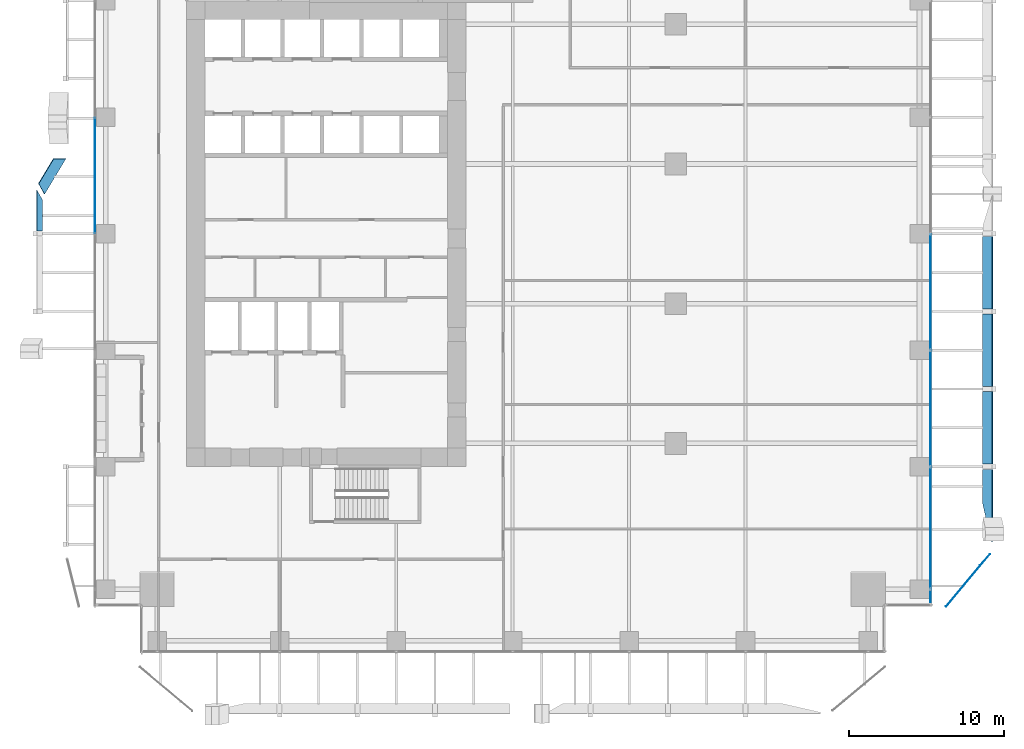
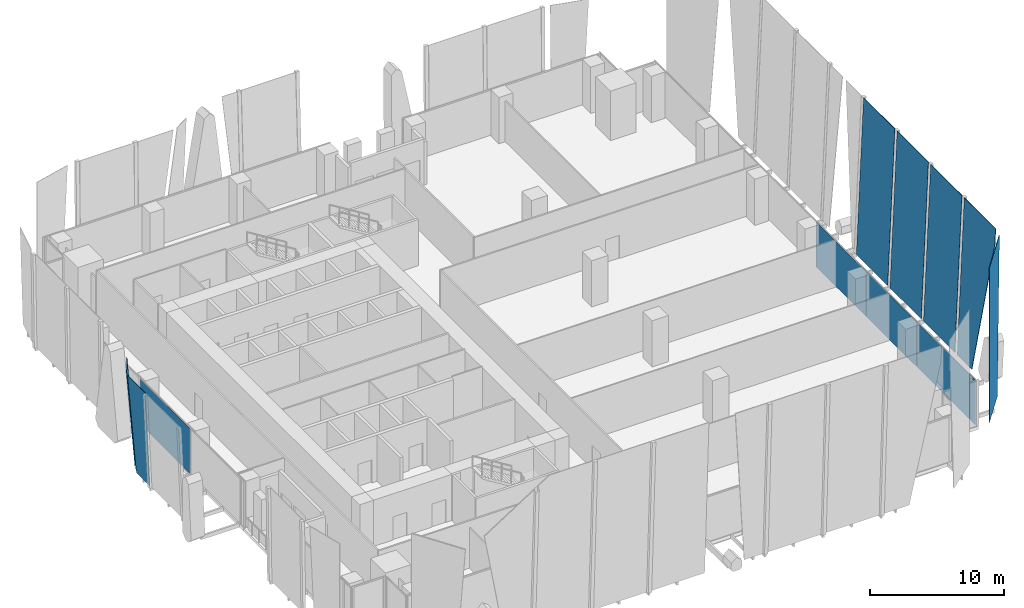
# One storey, part 24 of 35: 12 plates, 2 elements without a shape of their own.
"""IFC4 building model written with IfcOpenShell, lengths in metres."""

from ifc_helpers import new_model, si_unit, direction, frame, origin, origin_2d, place, context, subcontext, project, spatial, polyline, rectangle, outline, extrude, source, transform, mapped, material, layer, layer_set, type_object, element, aggregate, save


model = new_model("IFC4")

# Units and contexts
model_context = context("Model", 3, precision=1e-05, world=origin(), true_north=direction((0.0, 1.0)))
body_context = subcontext(model_context, "Body", "Model", "MODEL_VIEW")
ifc_project = project(units=[si_unit("LENGTHUNIT", "METRE"), si_unit("AREAUNIT", "SQUARE_METRE"), si_unit("VOLUMEUNIT", "CUBIC_METRE"), si_unit("PLANEANGLEUNIT", "RADIAN"), si_unit("MASSUNIT", "GRAM", prefix="KILO")], contexts=[model_context])

# Site, building, storey
site_placement = place(None, origin())
site = spatial("IfcSite", under=ifc_project, at=site_placement, CompositionType="ELEMENT")
building_placement = place(site_placement, origin())
building = spatial("IfcBuilding", under=site, at=building_placement, Name="Khomas Fold Tower", CompositionType="ELEMENT")
storey_placement = place(building_placement, frame((0.0, 0.0, 87.0)))
storey = spatial("IfcBuildingStorey", under=building, at=storey_placement, Name="L18", CompositionType="ELEMENT", Elevation=87.0)

# Plates
ifc_material_1 = material(Name="Clear laminated glass", Category="glass")
ifc_layer_1 = layer(ifc_material_1, 0.0400390625)
ifc_layer_set_1 = layer_set([ifc_layer_1], Name="Clear laminated glass")
plate_type_1 = type_object("IfcPlateType", Name="SK-Clear laminated glass leaf", PredefinedType="SHEET", material=ifc_layer_set_1)
plate_1_placement = place(storey_placement, frame((57.12890625, 5.612060546875, 0.0), z_axis=(0.768213610751, -0.64019360214, 5.971845e-06), x_axis=(-0.640193602151, -0.768213610765, 1.46e-10)))
element("IfcPlate", 1, at=plate_1_placement, inside=storey, type_object=plate_type_1, Name="OUTER SKIN glass L18 EG098-1", PredefinedType="SHEET", context=body_context, shape_type="SweptSolid", body=[
    extrude(outline(polyline([(0.0, 0.0), (3.433614024530022, 0.0), (3.4336140265803397, -14.050048827874466), (-0.9612143656218723, -14.050048829016868), (0.0, 0.0)])), origin(), (0.0, 0.0, -1.0), 0.0400390625),
])
plate_2_placement = place(storey_placement, frame((57.264892578125, 9.64306640625, 0.0), z_axis=(-0.9990418419, 6.173599e-06, 0.04376526129), x_axis=(0.042949906813, -0.191990002581, 0.980456599964)))
element("IfcPlate", 2, at=plate_2_placement, inside=storey, type_object=plate_type_1, Name="OUTER SKIN glass L18 EG099-2", PredefinedType="SHEET", context=body_context, shape_type="SweptSolid", body=[
    extrude(outline(polyline([(0.0, 0.0), (12.8816318467629, 4.440892098500626e-16), (14.276716873186185, 0.27291953250977663), (13.382013462719566, 4.846382343213035), (-0.4198843855280786, 2.1463264804211963), (0.0, 0.0)])), origin(), (0.0, 0.0, -1.0), 0.0400390625),
])
for number, where, z_axis, x_axis, name in (
    (3, (57.264892578125, 12.169921875, 0.0), (-0.999041889432, 0.0, 0.043764176671), (0.043764176671, 0.0, 0.999041889432), "OUTER SKIN glass L18 EG100-4"),
    (4, (57.264892578125, 17.169921875, 0.0), (-0.999041889432, 0.0, 0.043764176671), (0.043764176671, 0.0, 0.999041889432), "OUTER SKIN glass L18 EG101-6"),
    (5, (57.264892578125, 22.169921875, 0.0), (-0.999041889432, 0.0, 0.043764176671), (0.043764176671, 0.0, 0.999041889432), "OUTER SKIN glass L18 EG102-8"),
):
    element("IfcPlate", number, at=place(storey_placement, frame(where, z_axis=z_axis, x_axis=x_axis)), inside=storey, type_object=plate_type_1, Name=name, PredefinedType="SHEET", context=body_context, shape_type="SweptSolid", body=[
        extrude(outline(polyline([(0.0, 0.0), (14.06352323836003, 0.0), (14.06352323836003, 4.66015625), (0.0, 4.66015625), (0.0, 0.0)])), origin(), (0.0, 0.0, -1.0), 0.0400390625),
    ])
plate_3_placement = place(storey_placement, frame((-3.639404296875, 29.820556640625, 8.550048828125), z_axis=(0.999042057933, 0.0, 0.043760329998), x_axis=(0.043627067303, -0.077982671802, -0.995999689707)))
element("IfcPlate", 6, at=plate_3_placement, inside=storey, type_object=plate_type_1, Name="OUTER SKIN glass L18 WG103-8", PredefinedType="SHEET", context=body_context, shape_type="SweptSolid", body=[
    extrude(outline(polyline([(0.0, 0.0), (8.584389047989601, 0.0), (8.738888408749656, -1.975167848807693), (0.2067035809946882, -2.6425628261867065), (0.0, 0.0)])), origin(), (0.0, 0.0, -1.0), 0.0400390625),
])
plate_4_placement = place(storey_placement, frame((-3.51904296875, 30.221923828125, 8.550048828125), z_axis=(0.85491027144, -0.512935420761, 0.077625265965), x_axis=(0.514487765275, 0.857497719753, 1.012798e-06)))
element("IfcPlate", 7, at=plate_4_placement, inside=storey, type_object=plate_type_1, Name="OUTER SKIN glass L18 WG103-9", PredefinedType="SHEET", context=body_context, shape_type="SweptSolid", body=[
    extrude(outline(polyline([(0.0, 0.0), (1.8753889473580863, 1.3877787807814457e-17), (2.2748117072172676, -8.575928079890604), (-0.3815740924173512, -8.575923476227945), (0.0, 0.0)])), origin(), (0.0, 0.0, -1.0), 0.0400390625),
])

# Curtain wall, plates
ifc_material_2 = material(Name="Aluminium framed double glazing", Category="aluminium")
curtain_wall_type = type_object("IfcCurtainWallType", Name="SK-Unitised clear-glass wall, growing floors CW1", PredefinedType="NOTDEFINED", material=ifc_material_2)
curtain_wall_1_placement = place(storey_placement, origin())
curtain_wall_1 = element("IfcCurtainWall", 8, at=curtain_wall_1_placement, inside=storey, type_object=curtain_wall_type, Name="CW1 run L18 03-0", PredefinedType="NOTDEFINED")
ifc_material_3 = material(Name="Clear double glazed unit")
ifc_layer_2 = layer(ifc_material_3, 0.031982421875)
ifc_layer_set_2 = layer_set([ifc_layer_2], Name="Clear double glazed unit")
plate_type_2 = type_object("IfcPlateType", Name="SK-Unitised clear-glass wall, growing floors glass panel CW1-P", PredefinedType="CURTAIN_PANEL", material=ifc_layer_set_2)
shared_shape_1 = source(origin(), body_context, "Body", "SweptSolid", [
    extrude(rectangle(XDim=0.81005859375, YDim=0.031982421875, at=origin_2d()), origin(), (0.0, 0.0, 1.0), 4.080078125),
])
plate_5_placement = place(storey_placement, frame((53.89990234375, 3.6650390625, 0.0), z_axis=(0.0, 0.0, 1.0), x_axis=(0.0, 1.0, 0.0)))
plate_5 = element("IfcPlate", 9, at=plate_5_placement, type_object=plate_type_2, Name="CW1 glass panel 1", PredefinedType="CURTAIN_PANEL", context=body_context, shape_type="MappedRepresentation", body=[
    mapped(shared_shape_1, transform((0.0, 0.0, 0.0))),
])
shared_shape_2 = source(origin(), body_context, "Body", "SweptSolid", [
    extrude(rectangle(XDim=7.840087890625, YDim=0.031982421875, at=origin_2d()), origin(), (0.0, 0.0, 1.0), 4.080078125),
])
plate_6_placement = place(storey_placement, frame((53.89990234375, 8.050048828125, 0.0), z_axis=(0.0, 0.0, 1.0), x_axis=(0.0, 1.0, 0.0)))
plate_6 = element("IfcPlate", 10, at=plate_6_placement, type_object=plate_type_2, Name="CW1 glass panel 2", PredefinedType="CURTAIN_PANEL", context=body_context, shape_type="MappedRepresentation", body=[
    mapped(shared_shape_2, transform((0.0, 0.0, 0.0))),
])
shared_shape_3 = source(origin(), body_context, "Body", "SweptSolid", [
    extrude(rectangle(XDim=7.43994140625, YDim=0.031982421875, at=origin_2d()), origin(), (0.0, 0.0, 1.0), 4.080078125),
])
plate_7_placement = place(storey_placement, frame((53.89990234375, 15.75, 0.0), z_axis=(0.0, 0.0, 1.0), x_axis=(0.0, 1.0, 0.0)))
plate_7 = element("IfcPlate", 11, at=plate_7_placement, type_object=plate_type_2, Name="CW1 glass panel 3", PredefinedType="CURTAIN_PANEL", context=body_context, shape_type="MappedRepresentation", body=[
    mapped(shared_shape_3, transform((0.0, 0.0, 0.0))),
])
plate_8_placement = place(storey_placement, frame((53.89990234375, 23.25, 0.0), z_axis=(0.0, 0.0, 1.0), x_axis=(0.0, 1.0, 0.0)))
plate_8 = element("IfcPlate", 12, at=plate_8_placement, type_object=plate_type_2, Name="CW1 glass panel 4", PredefinedType="CURTAIN_PANEL", context=body_context, shape_type="MappedRepresentation", body=[
    mapped(shared_shape_3, transform((0.0, 0.0, 0.0))),
])
aggregate(curtain_wall_1, [plate_5, plate_6, plate_7, plate_8])

# Curtain wall, plate
curtain_wall_2_placement = place(storey_placement, origin())
curtain_wall_2 = element("IfcCurtainWall", 13, at=curtain_wall_2_placement, inside=storey, type_object=curtain_wall_type, Name="CW1 run L18 09-0", PredefinedType="NOTDEFINED")
plate_9_placement = place(storey_placement, frame((0.10009765625, 30.75, 0.0), z_axis=(0.0, 0.0, 1.0), x_axis=(0.0, -1.0, 0.0)))
plate_9 = element("IfcPlate", 14, at=plate_9_placement, type_object=plate_type_2, Name="CW1 glass panel 4", PredefinedType="CURTAIN_PANEL", context=body_context, shape_type="MappedRepresentation", body=[
    mapped(shared_shape_3, transform((0.0, 0.0, 0.0))),
])
aggregate(curtain_wall_2, [plate_9])

save(model, "model.ifc")
